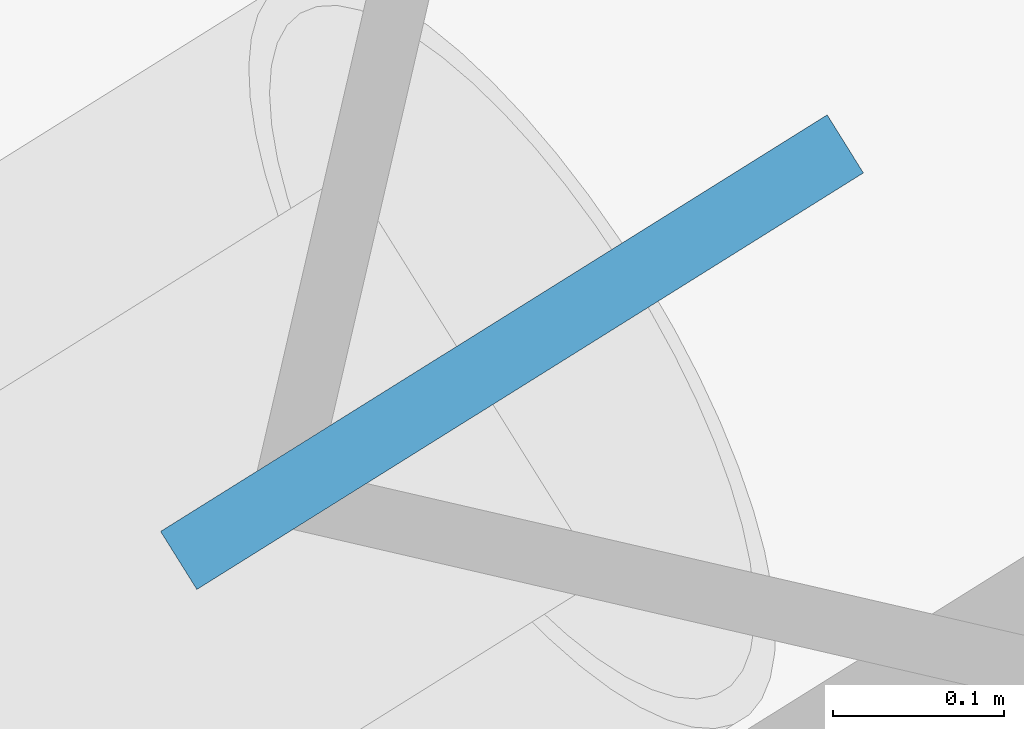
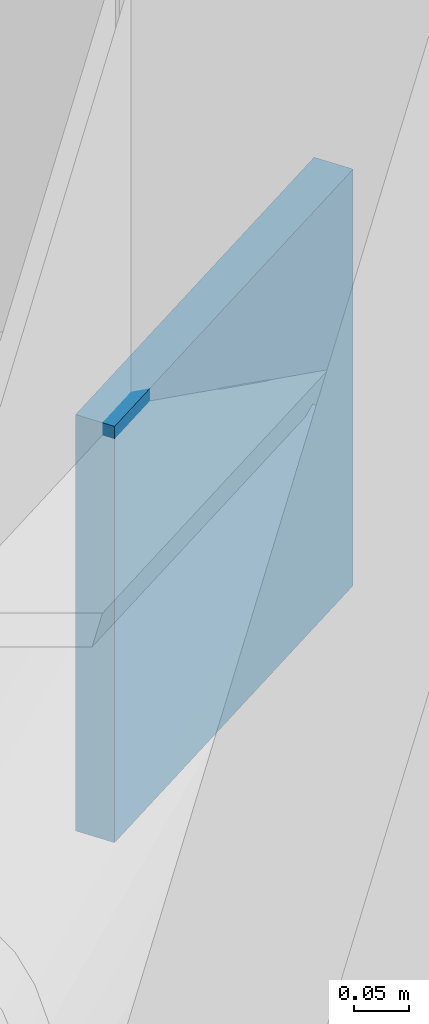
# One storey, part 19 of 22: 1 discrete accessory.
"""IFC4 building model written with IfcOpenShell, lengths in metres."""

from ifc_helpers import new_model, si_unit, direction, frame, origin, origin_2d, place, context, subcontext, project, spatial, rectangle, extrude, material, type_object, element, save


model = new_model("IFC4")

# Units and contexts
model_context = context("Model", 3, precision=1e-05, world=origin(), true_north=direction((0.0, 1.0)))
body_context = subcontext(model_context, "Body", "Model", "MODEL_VIEW")
ifc_project = project(units=[si_unit("LENGTHUNIT", "METRE"), si_unit("AREAUNIT", "SQUARE_METRE"), si_unit("VOLUMEUNIT", "CUBIC_METRE"), si_unit("PLANEANGLEUNIT", "RADIAN"), si_unit("MASSUNIT", "GRAM", prefix="KILO")], contexts=[model_context])

# Site, building, storey
site_placement = place(None, origin())
site = spatial("IfcSite", under=ifc_project, at=site_placement, CompositionType="ELEMENT")
building_placement = place(site_placement, origin())
building = spatial("IfcBuilding", under=site, at=building_placement, Name="Tavrogorsk Clinical Tower", CompositionType="ELEMENT")
storey_placement = place(building_placement, frame((0.0, 0.0, 55.39990234375)))
storey = spatial("IfcBuildingStorey", under=building, at=storey_placement, Name="L11", CompositionType="ELEMENT", Elevation=55.39990234375)

# Discrete accessory
ifc_material = material(Name="Structural steel S440", Category="steel")
discrete_accessory_type = type_object("IfcDiscreteAccessoryType", Name="GussetPlateBracket_25", PredefinedType="BRACKET", material=ifc_material)
discrete_accessory_placement = place(storey_placement, frame((-30.364013671875, 29.9541015625, 2.667724609375), z_axis=(0.0, 0.0, 1.0), x_axis=(0.848048096156, 0.529919264233, 0.0)))
element("IfcDiscreteAccessory", 1, at=discrete_accessory_placement, inside=storey, type_object=discrete_accessory_type, Name="L11 Brace Gusset Plate EXOCRN-L11-3-B", PredefinedType="BRACKET", context=body_context, shape_type="SweptSolid", body=[
    extrude(rectangle(XDim=0.4599609375, YDim=0.0400390625, at=origin_2d()), origin(), (0.0, 0.0, 1.0), 0.4599609375),
])

save(model, "model.ifc")
